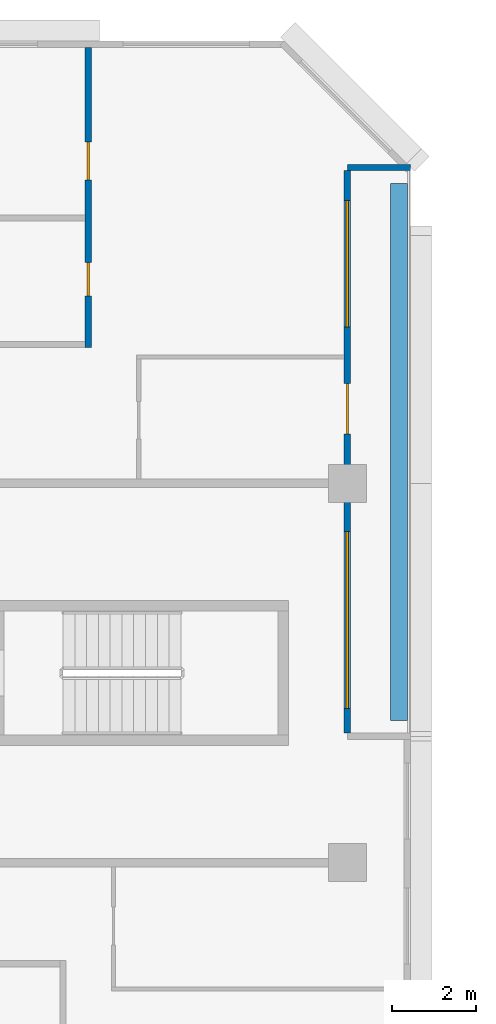
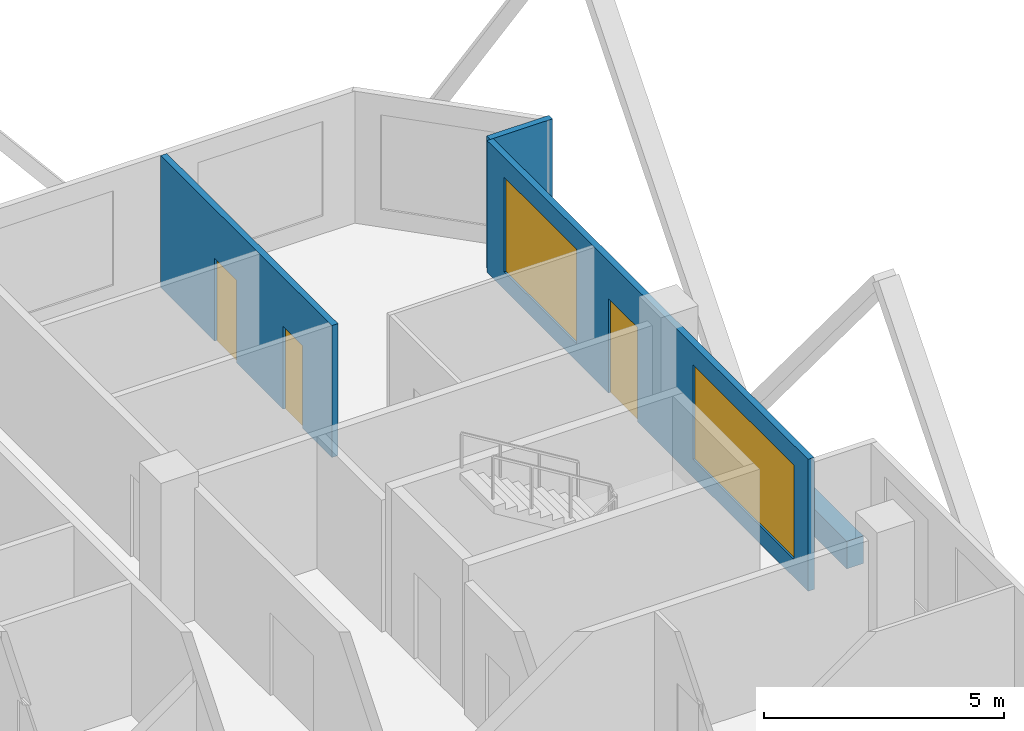
# One storey, part 11 of 14: 4 walls, 3 doors, 2 windows, 5 openings.
"""IFC4 building model written with IfcOpenShell, lengths in metres."""

import ifcopenshell
import ifcopenshell.guid

model = None  # the IFC model being written
_history = None  # IfcOwnerHistory: only IFC2X3 demands one
_inside = {}  # id of a spatial element -> (the spatial element, [elements in it])
_under = {}  # id of a project, library or spatial element -> (it, [spatial elements below it])
_declared = {}  # id of a project -> (the project, [libraries it declares])
_typed = {}  # id of a type object -> (the type object, [elements of that type])
_made_of = {}  # id of a material, layer set ... -> (it, [elements and type objects made of it])


def new_model(schema):
    """Start an empty IFC model of exactly this schema.

    Asked for "IFC4X3", IfcOpenShell would pick the latest addendum, in which some entities
    have other attributes; the version numbers below select the first issue.
    IFC2X3 requires an IfcOwnerHistory on every rooted entity: one is made here for all.
    """
    global model, _history
    if schema == "IFC4X3":
        model = ifcopenshell.file(schema_version=(4, 3, 0, 0))
    else:
        model = ifcopenshell.file(schema=schema)
    _inside.clear()
    _under.clear()
    _declared.clear()
    _typed.clear()
    _made_of.clear()
    _history = None
    if model.schema == "IFC2X3":
        org = make("IfcOrganization", Name="unknown")
        user = make(
            "IfcPersonAndOrganization",
            ThePerson=make("IfcPerson", FamilyName="unknown"),
            TheOrganization=org,
        )
        app = make(
            "IfcApplication",
            ApplicationDeveloper=org,
            Version="unknown",
            ApplicationFullName="unknown",
            ApplicationIdentifier="unknown",
        )
        _history = make(
            "IfcOwnerHistory",
            OwningUser=user,
            OwningApplication=app,
            ChangeAction="ADDED",
            CreationDate=0,
        )
    return model


def make(cls, **values):
    """One entity of the class cls with the attributes given. An attribute that is None is left unset."""
    return model.create_entity(
        cls, **{name: value for name, value in values.items() if value is not None}
    )


def rooted(cls, **values):
    """An entity with a GlobalId (a new one), such as an element, a storey or a relation."""
    return make(cls, GlobalId=ifcopenshell.guid.new(), OwnerHistory=_history, **values)


def si_unit(unit_type, name, prefix=None):
    """IfcSIUnit, for example si_unit("LENGTHUNIT", "METRE", prefix="MILLI")."""
    return make("IfcSIUnit", UnitType=unit_type, Prefix=prefix, Name=name)


def assignment(units):
    """IfcUnitAssignment: the units of a project."""
    return None if units is None else make("IfcUnitAssignment", Units=units)


def point(xyz):
    """IfcCartesianPoint."""
    return None if xyz is None else make("IfcCartesianPoint", Coordinates=xyz)


def direction(xyz):
    """IfcDirection."""
    return None if xyz is None else make("IfcDirection", DirectionRatios=xyz)


def frame(location, z_axis=None, x_axis=None):
    """IfcAxis2Placement3D, a coordinate frame: its origin and axes. An axis left out is left unset."""
    return make(
        "IfcAxis2Placement3D",
        Location=point(location),
        Axis=direction(z_axis),
        RefDirection=direction(x_axis),
    )


def frame_2d(location, x_axis=None):
    """IfcAxis2Placement2D, a coordinate frame in the plane: its origin and x axis."""
    return make(
        "IfcAxis2Placement2D", Location=point(location), RefDirection=direction(x_axis)
    )


def origin():
    """The frame at (0, 0, 0) with its axes left unset."""
    return frame((0.0, 0.0, 0.0))


def place(relative_to, where):
    """IfcLocalPlacement: puts the frame where relative to a parent placement (None: the world)."""
    return make(
        "IfcLocalPlacement", PlacementRelTo=relative_to, RelativePlacement=where
    )


def context(
    kind, dimensions, precision=None, world=None, true_north=None, identifier=None
):
    """IfcGeometricRepresentationContext, for example the 3D "Model" context."""
    return make(
        "IfcGeometricRepresentationContext",
        ContextIdentifier=identifier,
        ContextType=kind,
        CoordinateSpaceDimension=dimensions,
        Precision=precision,
        WorldCoordinateSystem=world,
        TrueNorth=true_north,
    )


def subcontext(parent, identifier, kind, view, scale=None):
    """IfcGeometricRepresentationSubContext, for example "Body" below "Model"."""
    return make(
        "IfcGeometricRepresentationSubContext",
        ContextIdentifier=identifier,
        ContextType=kind,
        ParentContext=parent,
        TargetScale=scale,
        TargetView=view,
    )


def project(units=None, contexts=None):
    """IfcProject with its units and contexts."""
    return rooted(
        "IfcProject",
        Name="project",
        RepresentationContexts=contexts,
        UnitsInContext=assignment(units),
    )


def spatial(cls, under=None, at=None, **own):
    """A site, building, storey or space (cls), placed at a placement, below another one or the project."""
    s = rooted(cls, ObjectPlacement=at, **own)
    if under is not None:
        _under.setdefault(under.id(), (under, []))[1].append(s)
    return s


def profile(cls, at=None, kind="AREA", **sizes):
    """A parametric profile (cls). Its sizes go by their IFC names, for example OverallWidth=200.0."""
    return make(cls, ProfileType=kind, Position=at, **sizes)


def rectangle(**sizes):
    """IfcRectangleProfileDef."""
    return profile("IfcRectangleProfileDef", **sizes)


def extrude(swept, where, along, depth):
    """IfcExtrudedAreaSolid: the profile swept, set in the frame where, extruded along a direction by depth."""
    return make(
        "IfcExtrudedAreaSolid",
        SweptArea=swept,
        Position=where,
        ExtrudedDirection=direction(along),
        Depth=depth,
    )


def shape(context_of_items, identifier, shape_type, items):
    """IfcShapeRepresentation: the items that make up one representation, for example the "Body"."""
    return make(
        "IfcShapeRepresentation",
        ContextOfItems=context_of_items,
        RepresentationIdentifier=identifier,
        RepresentationType=shape_type,
        Items=items,
    )


def material(Name=None, Category=None):
    """IfcMaterial."""
    return make("IfcMaterial", Name=Name, Category=Category)


def layer(
    of_material, thickness, ventilated=None, Name=None, Category=None, Priority=None
):
    """IfcMaterialLayer: one layer of a wall or slab, of a material (None: an air gap)."""
    return make(
        "IfcMaterialLayer",
        Material=of_material,
        LayerThickness=thickness,
        IsVentilated=ventilated,
        Name=Name,
        Category=Category,
        Priority=Priority,
    )


def layer_set(layers, Name=None):
    """IfcMaterialLayerSet."""
    return make("IfcMaterialLayerSet", MaterialLayers=layers, LayerSetName=Name)


def made_of(thing, what):
    """Note that an element or type object is made of a material, layer set ...; save() writes the relation."""
    if what is not None:
        _made_of.setdefault(what.id(), (what, []))[1].append(thing)
    return thing


def type_object(cls, material=None, **own):
    """A type object (cls), such as IfcWallType, which elements share."""
    return made_of(rooted(cls, **own), material)


def element(
    cls,
    number,
    at=None,
    inside=None,
    cuts=None,
    type_object=None,
    material=None,
    context=None,
    identifier="Body",
    shape_type=None,
    held_by="IfcProductDefinitionShape",
    body=None,
    shapes=None,
    **own,
):
    """One element of the class cls, such as IfcWall. Its Tag is "e" and its number.

    at: its placement. inside: the storey or other place that contains it. cuts: it is an
    opening in that element (IfcRelVoidsElement). A single representation is given by context,
    identifier, shape_type and body (its items); several are given by shapes. held_by: the class
    of the entity that holds the representations. save() writes the other relations.
    """
    e = rooted(cls, Tag="e%d" % number, ObjectPlacement=at, **own)
    if body is not None:
        shapes = [shape(context, identifier, shape_type, body)]
    if shapes is not None:
        e.Representation = make(held_by, Representations=shapes)
    if inside is not None:
        _inside.setdefault(inside.id(), (inside, []))[1].append(e)
    if cuts is not None:
        rooted(
            "IfcRelVoidsElement", RelatingBuildingElement=cuts, RelatedOpeningElement=e
        )
    if type_object is not None:
        _typed.setdefault(type_object.id(), (type_object, []))[1].append(e)
    return made_of(e, material)


def fill(opening, filler):
    """IfcRelFillsElement: the door or window that sits in an opening."""
    return rooted(
        "IfcRelFillsElement",
        RelatingOpeningElement=opening,
        RelatedBuildingElement=filler,
    )


def aggregate(whole, parts):
    """IfcRelAggregates: a whole, such as a stair, and the parts it consists of."""
    return rooted("IfcRelAggregates", RelatingObject=whole, RelatedObjects=parts)


def save(model, path):
    """Write the relations noted so far, then the file.

    IfcRelAggregates (storeys below a building ...), IfcRelContainedInSpatialStructure (elements
    in a storey), IfcRelDefinesByType, IfcRelAssociatesMaterial and IfcRelDeclares: one each for
    every whole, place, type object, material and project.
    """
    for whole, parts in _under.values():
        aggregate(whole, parts)
    for where, things in _inside.values():
        rooted(
            "IfcRelContainedInSpatialStructure",
            RelatedElements=things,
            RelatingStructure=where,
        )
    for kind, things in _typed.values():
        rooted("IfcRelDefinesByType", RelatedObjects=things, RelatingType=kind)
    for what, things in _made_of.values():
        rooted("IfcRelAssociatesMaterial", RelatedObjects=things, RelatingMaterial=what)
    for by, libraries in _declared.values():
        rooted("IfcRelDeclares", RelatingContext=by, RelatedDefinitions=libraries)
    model.write(path)


model = new_model("IFC4")

# Units and contexts
model_context = context("Model", 3, precision=1e-05, world=origin(), true_north=direction((0.0, 1.0)))
body_context = subcontext(model_context, "Body", "Model", "MODEL_VIEW")
ifc_project = project(units=[si_unit("LENGTHUNIT", "METRE"), si_unit("AREAUNIT", "SQUARE_METRE"), si_unit("VOLUMEUNIT", "CUBIC_METRE"), si_unit("PLANEANGLEUNIT", "RADIAN"), si_unit("MASSUNIT", "GRAM", prefix="KILO")], contexts=[model_context])

# Site, building, storey
site_placement = place(None, origin())
site = spatial("IfcSite", under=ifc_project, at=site_placement, CompositionType="ELEMENT")
building_placement = place(site_placement, origin())
building = spatial("IfcBuilding", under=site, at=building_placement, Name="Chenar Terraces", CompositionType="ELEMENT")
storey_placement = place(building_placement, frame((0.0, 0.0, 157.39990234375)))
storey = spatial("IfcBuildingStorey", under=building, at=storey_placement, Name="L35", CompositionType="ELEMENT", Elevation=157.39990234375)

# Wall, openings, windows, door
ifc_material_1 = material(Name="Aluminium framed glazing", Category="aluminium")
ifc_layer_1 = layer(ifc_material_1, 0.14990234375)
ifc_layer_set_1 = layer_set([ifc_layer_1], Name="Aluminium framed glazing")
wall_type_1 = type_object("IfcWallType", Name="Glazed loggia back wall 150", PredefinedType="SOLIDWALL", material=ifc_layer_set_1)
wall_1_placement = place(storey_placement, frame((24.0, 48.074951171875, 0.0), z_axis=(0.0, 0.0, 1.0), x_axis=(0.0, 1.0, 0.0)))
wall_1 = element("IfcWall", 1, at=wall_1_placement, inside=storey, type_object=wall_type_1, Name="Glazed loggia back wall", PredefinedType="SOLIDWALL", context=body_context, shape_type="SweptSolid", body=[
    extrude(rectangle(XDim=13.35009765625, YDim=0.14990234375, at=frame_2d((6.675048828125, 0.0))), origin(), (0.0, 0.0, 1.0), 3.35009765625),
])
opening_1_placement = place(wall_1_placement, frame((0.58740234375, 0.0, 0.449951171875)))
opening_1 = element("IfcOpeningElement", 2, at=opening_1_placement, cuts=wall_1, Name="Opening W420x240", PredefinedType="OPENING", context=body_context, shape_type="SweptSolid", body=[
    extrude(rectangle(XDim=4.199951171875, YDim=2.39990234375, at=frame_2d((2.10009765625, 1.199951171875))), frame((0.0, 0.0849609375, 0.0), z_axis=(0.0, -1.0, 0.0), x_axis=(1.0, 0.0, 0.0)), (0.0, 0.0, 1.0), 0.169921875),
])
opening_2_placement = place(wall_1_placement, frame((7.10009765625, 0.0, 0.0)))
opening_2 = element("IfcOpeningElement", 3, at=opening_2_placement, cuts=wall_1, Name="Opening DL35-G2", PredefinedType="OPENING", context=body_context, shape_type="SweptSolid", body=[
    extrude(rectangle(XDim=1.199951171875, YDim=2.39990234375, at=frame_2d((0.60009765625, 1.199951171875))), frame((0.0, 0.0849609375, 0.0), z_axis=(0.0, -1.0, 0.0), x_axis=(1.0, 0.0, 0.0)), (0.0, 0.0, 1.0), 0.169921875),
])
opening_3_placement = place(wall_1_placement, frame((9.637451171875, 0.0, 0.449951171875)))
opening_3 = element("IfcOpeningElement", 4, at=opening_3_placement, cuts=wall_1, Name="Opening W300x240", PredefinedType="OPENING", context=body_context, shape_type="SweptSolid", body=[
    extrude(rectangle(XDim=3.0, YDim=2.39990234375, at=frame_2d((1.5, 1.199951171875))), frame((0.0, 0.0849609375, 0.0), z_axis=(0.0, -1.0, 0.0), x_axis=(1.0, 0.0, 0.0)), (0.0, 0.0, 1.0), 0.169921875),
])
ifc_material_2 = material(Name="Low emissivity double glazing, aluminium frame", Category="aluminium")
window_type_1 = type_object("IfcWindowType", Name="Fixed light 3000 x 2400", PartitioningType="SINGLE_PANEL", PredefinedType="WINDOW", material=ifc_material_2)
window_1_placement = place(opening_3_placement, origin())
window_1 = element("IfcWindow", 5, at=window_1_placement, inside=storey, type_object=window_type_1, Name="Window", OverallHeight=2.39990234375, OverallWidth=3.0, PartitioningType="SINGLE_PANEL", PredefinedType="WINDOW", context=body_context, shape_type="SweptSolid", body=[
    extrude(rectangle(XDim=3.0, YDim=2.39990234375, at=frame_2d((1.5, 1.199951171875))), frame((0.0, 0.030029296875, 0.0), z_axis=(0.0, -1.0, 0.0), x_axis=(1.0, 0.0, 0.0)), (0.0, 0.0, 1.0), 0.06005859375),
])
fill(opening_3, window_1)
ifc_material_3 = material(Name="Low emissivity double glazing, aluminium frame", Category="aluminium")
window_type_2 = type_object("IfcWindowType", Name="Fixed light 4200 x 2400", PartitioningType="SINGLE_PANEL", PredefinedType="WINDOW", material=ifc_material_3)
window_2_placement = place(opening_1_placement, origin())
window_2 = element("IfcWindow", 6, at=window_2_placement, inside=storey, type_object=window_type_2, Name="Window", OverallHeight=2.39990234375, OverallWidth=4.199951171875, PartitioningType="SINGLE_PANEL", PredefinedType="WINDOW", context=body_context, shape_type="SweptSolid", body=[
    extrude(rectangle(XDim=4.199951171875, YDim=2.39990234375, at=frame_2d((2.10009765625, 1.199951171875))), frame((0.0, 0.030029296875, 0.0), z_axis=(0.0, -1.0, 0.0), x_axis=(1.0, 0.0, 0.0)), (0.0, 0.0, 1.0), 0.06005859375),
])
fill(opening_1, window_2)
ifc_material_4 = material(Name="Low emissivity double glazing, aluminium frame", Category="aluminium")
door_type_1 = type_object("IfcDoorType", Name="Loggia glazed double door 1200 x 2400", OperationType="DOUBLE_DOOR_SINGLE_SWING", PredefinedType="DOOR", material=ifc_material_4)
door_1_placement = place(opening_2_placement, frame((1.199951171875, 0.0, 0.0), z_axis=(0.0, 0.0, 1.0), x_axis=(-1.0, 0.0, 0.0)))
door_1 = element("IfcDoor", 7, at=door_1_placement, inside=storey, type_object=door_type_1, Name="Loggia glazed door", OperationType="DOUBLE_DOOR_SINGLE_SWING", OverallHeight=2.39990234375, OverallWidth=1.199951171875, PredefinedType="DOOR", context=body_context, shape_type="SweptSolid", body=[
    extrude(rectangle(XDim=1.199951171875, YDim=2.39990234375, at=frame_2d((0.60009765625, 1.199951171875))), frame((0.0, 0.02490234375, 0.0), z_axis=(0.0, -1.0, 0.0), x_axis=(1.0, 0.0, 0.0)), (0.0, 0.0, 1.0), 0.050048828125),
])
fill(opening_2, door_1)

# Walls
ifc_material_5 = material(Name="Terracotta cladding on insulated backing", Category="masonry")
ifc_layer_2 = layer(ifc_material_5, 0.14990234375)
ifc_layer_set_2 = layer_set([ifc_layer_2], Name="Terracotta cladding on insulated backing")
wall_type_2 = type_object("IfcWallType", Name="Loggia return wall 150", PredefinedType="SOLIDWALL", material=ifc_layer_set_2)
wall_2_placement = place(storey_placement, frame((25.5, 61.5, 0.0), z_axis=(0.0, 0.0, 1.0), x_axis=(-1.0, 0.0, 0.0)))
element("IfcWall", 8, at=wall_2_placement, inside=storey, type_object=wall_type_2, Name="Loggia return wall", PredefinedType="SOLIDWALL", context=body_context, shape_type="SweptSolid", body=[
    extrude(rectangle(XDim=1.5, YDim=0.14990234375, at=frame_2d((0.75, 0.0))), origin(), (0.0, 0.0, 1.0), 3.35009765625),
])
ifc_material_6 = material(Name="GRP planter trough")
ifc_layer_3 = layer(ifc_material_6, 0.39990234375)
ifc_layer_set_3 = layer_set([ifc_layer_3], Name="GRP planter trough")
wall_type_3 = type_object("IfcWallType", Name="Vertical greenery planter 400", PredefinedType="SOLIDWALL", material=ifc_layer_set_3)
wall_3_placement = place(storey_placement, frame((25.22900390625, 48.375, 0.0), z_axis=(0.0, 0.0, 1.0), x_axis=(0.0, 1.0, 0.0)))
element("IfcWall", 9, at=wall_3_placement, inside=storey, type_object=wall_type_3, Name="Vertical greenery planter", PredefinedType="SOLIDWALL", context=body_context, shape_type="SweptSolid", body=[
    extrude(rectangle(XDim=12.75, YDim=0.39990234375, at=frame_2d((6.375, 0.0))), origin(), (0.0, 0.0, 1.0), 0.7001953125),
])

# Wall, openings, doors
ifc_material_7 = material(Name="Moisture-resistant gypsum board on steel studs", Category="steel")
ifc_layer_4 = layer(ifc_material_7, 0.14990234375)
ifc_layer_set_4 = layer_set([ifc_layer_4], Name="Moisture-resistant gypsum board on steel studs")
wall_type_4 = type_object("IfcWallType", Name="Wet-room partition 150", PredefinedType="PARTITIONING", material=ifc_layer_set_4)
wall_4_placement = place(storey_placement, frame((17.85009765625, 57.22509765625, 0.0), z_axis=(0.0, 0.0, 1.0), x_axis=(0.0, 1.0, 0.0)))
wall_4 = element("IfcWall", 10, at=wall_4_placement, inside=storey, type_object=wall_type_4, Name="Partition L35-045", PredefinedType="PARTITIONING", context=body_context, shape_type="SweptSolid", body=[
    extrude(rectangle(XDim=7.125, YDim=0.14990234375, at=frame_2d((3.5625, 0.0))), origin(), (0.0, 0.0, 1.0), 3.35009765625),
])
opening_4_placement = place(wall_4_placement, frame((1.22509765625, 0.0, 0.0)))
opening_4 = element("IfcOpeningElement", 11, at=opening_4_placement, cuts=wall_4, Name="Opening DL35-17", PredefinedType="OPENING", context=body_context, shape_type="SweptSolid", body=[
    extrude(rectangle(XDim=0.800048828125, YDim=2.10009765625, at=frame_2d((0.39990234375, 1.050048828125))), frame((0.0, 0.0849609375, 0.0), z_axis=(0.0, -1.0, 0.0), x_axis=(1.0, 0.0, 0.0)), (0.0, 0.0, 1.0), 0.169921875),
])
opening_5_placement = place(wall_4_placement, frame((3.97509765625, 0.0, 0.0)))
opening_5 = element("IfcOpeningElement", 12, at=opening_5_placement, cuts=wall_4, Name="Opening DL35-19", PredefinedType="OPENING", context=body_context, shape_type="SweptSolid", body=[
    extrude(rectangle(XDim=0.89990234375, YDim=2.10009765625, at=frame_2d((0.449951171875, 1.050048828125))), frame((0.0, 0.0849609375, 0.0), z_axis=(0.0, -1.0, 0.0), x_axis=(1.0, 0.0, 0.0)), (0.0, 0.0, 1.0), 0.169921875),
])
ifc_material_8 = material(Name="Veneered timber door leaf", Category="wood")
door_type_2 = type_object("IfcDoorType", Name="Door 800 x 2100", OperationType="SINGLE_SWING_LEFT", PredefinedType="DOOR", material=ifc_material_8)
door_2_placement = place(opening_4_placement, origin())
door_2 = element("IfcDoor", 13, at=door_2_placement, inside=storey, type_object=door_type_2, Name="Door DL35-17", OperationType="SINGLE_SWING_RIGHT", OverallHeight=2.10009765625, OverallWidth=0.800048828125, PredefinedType="DOOR", context=body_context, shape_type="SweptSolid", body=[
    extrude(rectangle(XDim=0.800048828125, YDim=2.10009765625, at=frame_2d((0.39990234375, 1.050048828125))), frame((0.0, 0.02490234375, 0.0), z_axis=(0.0, -1.0, 0.0), x_axis=(1.0, 0.0, 0.0)), (0.0, 0.0, 1.0), 0.050048828125),
])
fill(opening_4, door_2)
ifc_material_9 = material(Name="Veneered timber door leaf", Category="wood")
door_type_3 = type_object("IfcDoorType", Name="Door 900 x 2100", OperationType="SINGLE_SWING_LEFT", PredefinedType="DOOR", material=ifc_material_9)
door_3_placement = place(opening_5_placement, origin())
door_3 = element("IfcDoor", 14, at=door_3_placement, inside=storey, type_object=door_type_3, Name="Door DL35-19", OperationType="SINGLE_SWING_LEFT", OverallHeight=2.10009765625, OverallWidth=0.89990234375, PredefinedType="DOOR", context=body_context, shape_type="SweptSolid", body=[
    extrude(rectangle(XDim=0.89990234375, YDim=2.10009765625, at=frame_2d((0.449951171875, 1.050048828125))), frame((0.0, 0.02490234375, 0.0), z_axis=(0.0, -1.0, 0.0), x_axis=(1.0, 0.0, 0.0)), (0.0, 0.0, 1.0), 0.050048828125),
])
fill(opening_5, door_3)

save(model, "model.ifc")
